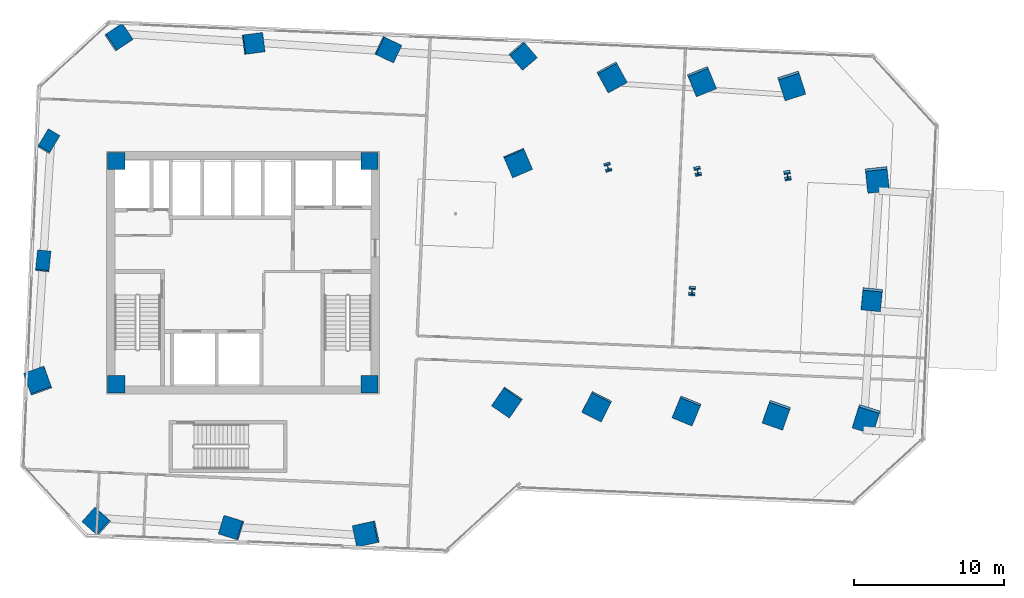
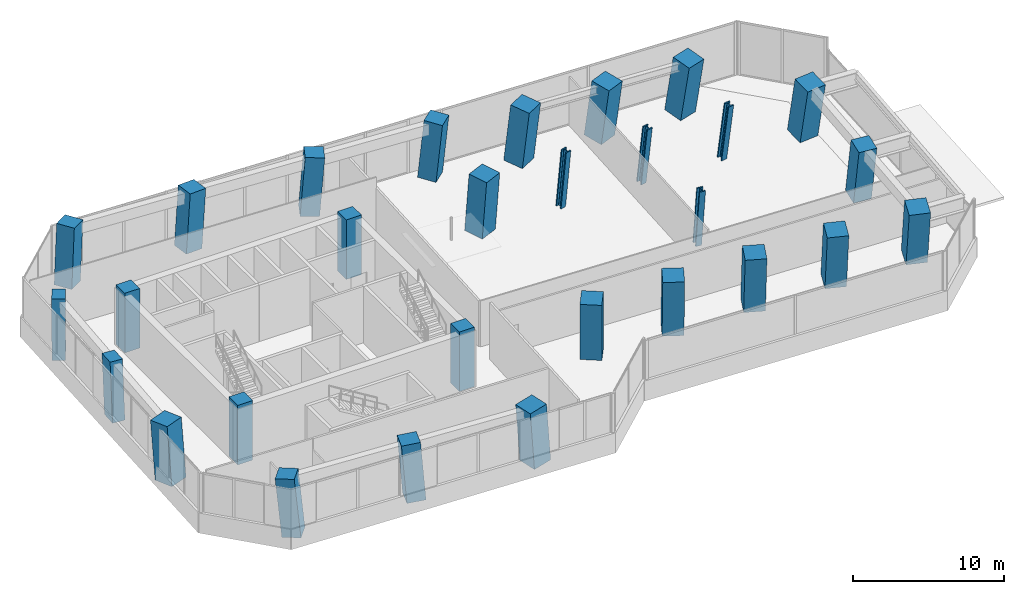
# One storey, part 1 of 27: 29 columns.
"""IFC4 building model written with IfcOpenShell, lengths in metres."""

from ifc_helpers import new_model, si_unit, direction, frame, origin, origin_2d, place, context, subcontext, project, spatial, rectangle, i_section, extrude, clip, halfspace, source, transform, mapped, material, material_profile, profile_set, type_object, element, save


model = new_model("IFC4")

# Units and contexts
model_context = context("Model", 3, precision=1e-05, world=origin(), true_north=direction((0.0, 1.0)))
body_context = subcontext(model_context, "Body", "Model", "MODEL_VIEW")
ifc_project = project(units=[si_unit("LENGTHUNIT", "METRE"), si_unit("AREAUNIT", "SQUARE_METRE"), si_unit("VOLUMEUNIT", "CUBIC_METRE"), si_unit("PLANEANGLEUNIT", "RADIAN"), si_unit("MASSUNIT", "GRAM", prefix="KILO")], contexts=[model_context])

# Site, building, storey
site_placement = place(None, origin())
site = spatial("IfcSite", under=ifc_project, at=site_placement, CompositionType="ELEMENT")
building_placement = place(site_placement, origin())
building = spatial("IfcBuilding", under=site, at=building_placement, Name="Torre Montelarca", CompositionType="ELEMENT")
storey_placement = place(building_placement, frame((0.0, 0.0, 37.60009765625)))
storey = spatial("IfcBuildingStorey", under=building, at=storey_placement, Name="L08", CompositionType="ELEMENT", Elevation=37.60009765625)

# Columns
ifc_material_1 = material(Name="Concrete C55/67", Category="concrete")
ifc_material_profile_1 = material_profile(ifc_material_1, rectangle(XDim=0.89990234375, YDim=1.300048828125, at=origin_2d()), Name="RC1300X900", Category="concrete")
ifc_profile_set_1 = profile_set([ifc_material_profile_1], Name="Concrete C55/67")
column_type_1 = type_object("IfcColumnType", Name="COL-PIL1300-EXT", PredefinedType="PILASTER", material=ifc_profile_set_1)
column_1_placement = place(storey_placement, frame((4.666015625, 32.735107421875, 0.0), z_axis=(0.004158734068, 0.076226552496, 0.997081851016), x_axis=(0.995195386939, -0.097852202731, 0.003329900253)))
element("IfcColumn", 1, at=column_1_placement, inside=storey, type_object=column_type_1, Name="L08 Column 1W/E", PredefinedType="PILASTER", context=body_context, shape_type="Clipping", body=[
    clip(clip(extrude(rectangle(XDim=0.89990234375, YDim=1.300048828125, at=origin_2d()), origin(), (0.0, 0.0, 1.0), 4.81396484375), halfspace(frame((0.0, 0.0, 0.052001953125), z_axis=(0.0, 0.0, -1.0), x_axis=(1.0, 0.0, 0.0)), False)), halfspace(frame((0.0, 0.0, 4.761962890625), z_axis=(0.0, 0.0, 1.0), x_axis=(1.0, 0.0, 0.0)), False)),
])
column_2_placement = place(storey_placement, frame((5.014892578125, 40.727294921875, 0.0), z_axis=(0.040343484777, 0.074250257787, 0.996423254674), x_axis=(0.85708703444, -0.515158450518, 0.003685953743)))
element("IfcColumn", 2, at=column_2_placement, inside=storey, type_object=column_type_1, Name="L08 Column 1W/F", PredefinedType="PILASTER", context=body_context, shape_type="Clipping", body=[
    clip(clip(extrude(rectangle(XDim=0.89990234375, YDim=1.300048828125, at=origin_2d()), origin(), (0.0, 0.0, 1.0), 4.817138671875), halfspace(frame((0.0, 0.0, 0.057373046875), z_axis=(0.0, 0.0, -1.0), x_axis=(1.0, 0.0, 0.0)), False)), halfspace(frame((0.0, 0.0, 4.759765625), z_axis=(0.0, 0.0, 1.0), x_axis=(1.0, 0.0, 0.0)), False)),
])
ifc_material_2 = material(Name="Concrete C70/85", Category="concrete")
ifc_material_profile_2 = material_profile(ifc_material_2, rectangle(XDim=1.300048828125, YDim=1.300048828125, at=origin_2d()), Name="RC1300X1300", Category="concrete")
ifc_profile_set_2 = profile_set([ifc_material_profile_2], Name="Concrete C70/85")
column_type_2 = type_object("IfcColumnType", Name="COL-RC1300-EXT", PredefinedType="COLUMN", material=ifc_profile_set_2)
column_3_placement = place(storey_placement, frame((8.26171875, 15.361572265625, 0.0), z_axis=(-0.074626848987, 0.0607039294, 0.995362178489), x_axis=(0.664109051, 0.747623943566, 0.004196115607)))
element("IfcColumn", 3, at=column_3_placement, inside=storey, type_object=column_type_2, Name="L08 Column 2/CS", PredefinedType="COLUMN", context=body_context, shape_type="Clipping", body=[
    clip(clip(extrude(rectangle(XDim=1.300048828125, YDim=1.300048828125, at=origin_2d()), origin(), (0.0, 0.0, 1.0), 4.822265625), halfspace(frame((0.0, 0.0, 0.066162109375), z_axis=(0.0, 0.0, -1.0), x_axis=(1.0, 0.0, 0.0)), False)), halfspace(frame((0.0, 0.0, 4.756103515625), z_axis=(0.0, 0.0, 1.0), x_axis=(1.0, 0.0, 0.0)), False)),
])
column_4_placement = place(storey_placement, frame((9.672607421875, 47.680908203125, 0.0), z_axis=(0.071587138132, 0.052740418114, 0.996039020295), x_axis=(0.557597375125, -0.830102478241, 0.003878514181)))
element("IfcColumn", 4, at=column_4_placement, inside=storey, type_object=column_type_2, Name="L08 Column 2/GN", PredefinedType="COLUMN", context=body_context, shape_type="Clipping", body=[
    clip(clip(extrude(rectangle(XDim=1.300048828125, YDim=1.300048828125, at=origin_2d()), origin(), (0.0, 0.0, 1.0), 4.81884765625), halfspace(frame((0.0, 0.0, 0.061279296875), z_axis=(0.0, 0.0, -1.0), x_axis=(1.0, 0.0, 0.0)), False)), halfspace(frame((0.0, 0.0, 4.757568359375), z_axis=(0.0, 0.0, 1.0), x_axis=(1.0, 0.0, 0.0)), False)),
])
column_5_placement = place(storey_placement, frame((17.253173828125, 14.968994140625, 0.0), z_axis=(-0.076967956371, 0.020078597314, 0.996831371708), x_axis=(0.294254782168, 0.955720714794, 0.003469651896)))
element("IfcColumn", 5, at=column_5_placement, inside=storey, type_object=column_type_2, Name="L08 Column 3/CS", PredefinedType="COLUMN", context=body_context, shape_type="Clipping", body=[
    clip(clip(extrude(rectangle(XDim=1.300048828125, YDim=1.300048828125, at=origin_2d()), origin(), (0.0, 0.0, 1.0), 4.81494140625), halfspace(frame((0.0, 0.0, 0.0546875), z_axis=(0.0, 0.0, -1.0), x_axis=(1.0, 0.0, 0.0)), False)), halfspace(frame((0.0, 0.0, 4.76025390625), z_axis=(0.0, 0.0, 1.0), x_axis=(1.0, 0.0, 0.0)), False)),
])
column_6_placement = place(storey_placement, frame((18.664306640625, 47.2880859375, 0.0), z_axis=(0.06940996214, 0.012126448064, 0.997514514387), x_axis=(0.129075287594, -0.991630033764, 0.003073478364)))
element("IfcColumn", 6, at=column_6_placement, inside=storey, type_object=column_type_2, Name="L08 Column 3/GN", PredefinedType="COLUMN", context=body_context, shape_type="Clipping", body=[
    clip(clip(extrude(rectangle(XDim=1.300048828125, YDim=1.300048828125, at=origin_2d()), origin(), (0.0, 0.0, 1.0), 4.811767578125), halfspace(frame((0.0, 0.0, 0.048583984375), z_axis=(0.0, 0.0, -1.0), x_axis=(1.0, 0.0, 0.0)), False)), halfspace(frame((0.0, 0.0, 4.76318359375), z_axis=(0.0, 0.0, 1.0), x_axis=(1.0, 0.0, 0.0)), False)),
])
column_7_placement = place(storey_placement, frame((27.655517578125, 46.895751953125, 0.0), z_axis=(0.067215559291, -0.028661729056, 0.997326713709), x_axis=(-0.431886115765, -0.901922515489, 0.003187328695)))
element("IfcColumn", 7, at=column_7_placement, inside=storey, type_object=column_type_2, Name="L08 Column 4/GN", PredefinedType="COLUMN", context=body_context, shape_type="Clipping", body=[
    clip(clip(extrude(rectangle(XDim=1.300048828125, YDim=1.300048828125, at=origin_2d()), origin(), (0.0, 0.0, 1.0), 4.812744140625), halfspace(frame((0.0, 0.0, 0.05029296875), z_axis=(0.0, 0.0, -1.0), x_axis=(1.0, 0.0, 0.0)), False)), halfspace(frame((0.0, 0.0, 4.762451171875), z_axis=(0.0, 0.0, 1.0), x_axis=(1.0, 0.0, 0.0)), False)),
])
column_8_placement = place(storey_placement, frame((36.64697265625, 46.503173828125, 0.0), z_axis=(0.064863629313, -0.06926888751, 0.995487082194), x_axis=(-0.758921651217, -0.651168789985, 0.00413935557)))
element("IfcColumn", 8, at=column_8_placement, inside=storey, type_object=column_type_2, Name="L08 Column 5/GN", PredefinedType="COLUMN", context=body_context, shape_type="Clipping", body=[
    clip(clip(extrude(rectangle(XDim=1.300048828125, YDim=1.300048828125, at=origin_2d()), origin(), (0.0, 0.0, 1.0), 4.821533203125), halfspace(frame((0.0, 0.0, 0.0654296875), z_axis=(0.0, 0.0, -1.0), x_axis=(1.0, 0.0, 0.0)), False)), halfspace(frame((0.0, 0.0, 4.756103515625), z_axis=(0.0, 0.0, 1.0), x_axis=(1.0, 0.0, 0.0)), False)),
])
column_9_placement = place(storey_placement, frame((59.96337890625, 30.32080078125, 0.0), z_axis=(-0.009419364454, -0.172153916291, 0.985025027438), x_axis=(-0.995208767045, 0.097483087631, 0.007520480208)))
element("IfcColumn", 9, at=column_9_placement, inside=storey, type_object=column_type_2, Name="L08 Column 9/E", PredefinedType="COLUMN", context=body_context, shape_type="Clipping", body=[
    clip(clip(extrude(rectangle(XDim=1.300048828125, YDim=1.300048828125, at=origin_2d()), origin(), (0.0, 0.0, 1.0), 4.872802734375), halfspace(frame((0.0, 0.0, 0.119384765625), z_axis=(0.0, 0.0, -1.0), x_axis=(1.0, 0.0, 0.0)), False)), halfspace(frame((0.0, 0.0, 4.75341796875), z_axis=(0.0, 0.0, 1.0), x_axis=(1.0, 0.0, 0.0)), False)),
])
ifc_material_profile_3 = material_profile(ifc_material_2, rectangle(XDim=1.449951171875, YDim=1.449951171875, at=origin_2d()), Name="RC1450X1450", Category="concrete")
ifc_profile_set_3 = profile_set([ifc_material_profile_3], Name="Concrete C70/85")
column_type_3 = type_object("IfcColumnType", Name="COL-RC1450", PredefinedType="COLUMN", material=ifc_profile_set_3)
for number, where, z_axis, x_axis, name in (
    (10, (35.63720703125, 23.375, 0.0), (-0.03976557291, -0.063604628099, 0.997182606394), (-0.824056903423, 0.566497585159, 0.003271991837), "L08 Column 5/D"),
    (11, (36.335205078125, 39.35986328125, 0.0), (0.032613723534, -0.067611342878, 0.997178545373), (-0.918728821038, -0.39487546398, 0.003274345801), "L08 Column 5/F"),
):
    element("IfcColumn", number, at=place(storey_placement, frame(where, z_axis=z_axis, x_axis=x_axis)), inside=storey, type_object=column_type_3, Name=name, PredefinedType="COLUMN", context=body_context, shape_type="Clipping", body=[
        clip(clip(extrude(rectangle(XDim=1.449951171875, YDim=1.449951171875, at=origin_2d()), origin(), (0.0, 0.0, 1.0), 4.8134765625), halfspace(frame((0.0, 0.0, 0.0576171875), z_axis=(0.0, 0.0, -1.0), x_axis=(1.0, 0.0, 0.0)), False)), halfspace(frame((0.0, 0.0, 4.755859375), z_axis=(0.0, 0.0, 1.0), x_axis=(1.0, 0.0, 0.0)), False)),
    ])
column_10_placement = place(storey_placement, frame((41.631591796875, 23.11328125, 0.0), z_axis=(-0.041198493799, -0.090545584038, 0.995039788812), x_axis=(-0.891368005609, 0.453259583779, 0.00433915762)))
element("IfcColumn", 12, at=column_10_placement, inside=storey, type_object=column_type_3, Name="L08 Column 6/D", PredefinedType="COLUMN", context=body_context, shape_type="Clipping", body=[
    clip(clip(extrude(rectangle(XDim=1.449951171875, YDim=1.449951171875, at=origin_2d()), origin(), (0.0, 0.0, 1.0), 4.82373046875), halfspace(frame((0.0, 0.0, 0.076416015625), z_axis=(0.0, 0.0, -1.0), x_axis=(1.0, 0.0, 0.0)), False)), halfspace(frame((0.0, 0.0, 4.747314453125), z_axis=(0.0, 0.0, 1.0), x_axis=(1.0, 0.0, 0.0)), False)),
])
column_11_placement = place(storey_placement, frame((42.59130859375, 45.092529296875, 0.0), z_axis=(0.058075175158, -0.095882164729, 0.993697078851), x_axis=(-0.876978547466, -0.480504649668, 0.004889676023)))
element("IfcColumn", 13, at=column_11_placement, inside=storey, type_object=column_type_3, Name="L08 Column 6/G", PredefinedType="COLUMN", context=body_context, shape_type="Clipping", body=[
    clip(clip(extrude(rectangle(XDim=1.449951171875, YDim=1.449951171875, at=origin_2d()), origin(), (0.0, 0.0, 1.0), 4.830322265625), halfspace(frame((0.0, 0.0, 0.0859375), z_axis=(0.0, 0.0, -1.0), x_axis=(1.0, 0.0, 0.0)), False)), halfspace(frame((0.0, 0.0, 4.744384765625), z_axis=(0.0, 0.0, 1.0), x_axis=(1.0, 0.0, 0.0)), False)),
])
column_12_placement = place(storey_placement, frame((47.625732421875, 22.851806640625, 0.0), z_axis=(-0.042543403024, -0.11738547501, 0.992174737189), x_axis=(-0.924517477509, 0.38110073839, 0.005446189418)))
element("IfcColumn", 14, at=column_12_placement, inside=storey, type_object=column_type_3, Name="L08 Column 7/D", PredefinedType="COLUMN", context=body_context, shape_type="Clipping", body=[
    clip(clip(extrude(rectangle(XDim=1.449951171875, YDim=1.449951171875, at=origin_2d()), origin(), (0.0, 0.0, 1.0), 4.837646484375), halfspace(frame((0.0, 0.0, 0.095947265625), z_axis=(0.0, 0.0, -1.0), x_axis=(1.0, 0.0, 0.0)), False)), halfspace(frame((0.0, 0.0, 4.74169921875), z_axis=(0.0, 0.0, 1.0), x_axis=(1.0, 0.0, 0.0)), False)),
])
column_13_placement = place(storey_placement, frame((48.58544921875, 44.830810546875, 0.0), z_axis=(0.056447032157, -0.122621097533, 0.990847010895), x_axis=(-0.925582471134, -0.378500222776, 0.005888165089)))
element("IfcColumn", 15, at=column_13_placement, inside=storey, type_object=column_type_3, Name="L08 Column 7/G", PredefinedType="COLUMN", context=body_context, shape_type="Clipping", body=[
    clip(clip(extrude(rectangle(XDim=1.449951171875, YDim=1.449951171875, at=origin_2d()), origin(), (0.0, 0.0, 1.0), 4.84423828125), halfspace(frame((0.0, 0.0, 0.103759765625), z_axis=(0.0, 0.0, -1.0), x_axis=(1.0, 0.0, 0.0)), False)), halfspace(frame((0.0, 0.0, 4.740478515625), z_axis=(0.0, 0.0, 1.0), x_axis=(1.0, 0.0, 0.0)), False)),
])
column_14_placement = place(storey_placement, frame((53.6201171875, 22.590087890625, 0.0), z_axis=(-0.043849484019, -0.14386854791, 0.988624834643), x_axis=(-0.943073487423, 0.332519710053, 0.006560468435)))
element("IfcColumn", 16, at=column_14_placement, inside=storey, type_object=column_type_3, Name="L08 Column 8/D", PredefinedType="COLUMN", context=body_context, shape_type="Clipping", body=[
    clip(clip(extrude(rectangle(XDim=1.449951171875, YDim=1.449951171875, at=origin_2d()), origin(), (0.0, 0.0, 1.0), 4.85498046875), halfspace(frame((0.0, 0.0, 0.11572265625), z_axis=(0.0, 0.0, -1.0), x_axis=(1.0, 0.0, 0.0)), False)), halfspace(frame((0.0, 0.0, 4.7392578125), z_axis=(0.0, 0.0, 1.0), x_axis=(1.0, 0.0, 0.0)), False)),
])
column_15_placement = place(storey_placement, frame((54.57958984375, 44.569091796875, 0.0), z_axis=(0.054839272442, -0.149050330227, 0.98730778041), x_axis=(-0.95247134279, -0.304549421177, 0.006927569902)))
element("IfcColumn", 17, at=column_15_placement, inside=storey, type_object=column_type_3, Name="L08 Column 8/G", PredefinedType="COLUMN", context=body_context, shape_type="Clipping", body=[
    clip(clip(extrude(rectangle(XDim=1.449951171875, YDim=1.449951171875, at=origin_2d()), origin(), (0.0, 0.0, 1.0), 4.861572265625), halfspace(frame((0.0, 0.0, 0.122314453125), z_axis=(0.0, 0.0, -1.0), x_axis=(1.0, 0.0, 0.0)), False)), halfspace(frame((0.0, 0.0, 4.7392578125), z_axis=(0.0, 0.0, 1.0), x_axis=(1.0, 0.0, 0.0)), False)),
])
ifc_material_profile_4 = material_profile(ifc_material_2, rectangle(XDim=1.449951171875, YDim=1.449951171875, at=origin_2d()), Name="RC1450X1450", Category="concrete")
ifc_profile_set_4 = profile_set([ifc_material_profile_4], Name="Concrete C70/85")
column_type_4 = type_object("IfcColumnType", Name="COL-RC1450-EXT", PredefinedType="COLUMN", material=ifc_profile_set_4)
column_16_placement = place(storey_placement, frame((26.244384765625, 14.576416015625, 0.0), z_axis=(-0.079133843412, -0.020632590819, 0.996650455788), x_axis=(-0.209988663443, 0.977697313357, 0.003567166984)))
element("IfcColumn", 18, at=column_16_placement, inside=storey, type_object=column_type_4, Name="L08 Perimeter Mega Column 4/CS", PredefinedType="COLUMN", context=body_context, shape_type="Clipping", body=[
    clip(clip(extrude(rectangle(XDim=1.449951171875, YDim=1.449951171875, at=origin_2d()), origin(), (0.0, 0.0, 1.0), 4.81591796875), halfspace(frame((0.0, 0.0, 0.062744140625), z_axis=(0.0, 0.0, -1.0), x_axis=(1.0, 0.0, 0.0)), False)), halfspace(frame((0.0, 0.0, 4.753173828125), z_axis=(0.0, 0.0, 1.0), x_axis=(1.0, 0.0, 0.0)), False)),
])
for number, where, z_axis, x_axis, name in (
    (19, (59.614501953125, 22.328369140625, 0.0), (-0.045163906243, -0.170090675728, 0.984392901033), (-0.954568816034, 0.29789167357, 0.007676345018), "L08 Perimeter Mega Column 9/D"),
    (20, (60.312255859375, 38.31298828125, 0.0), (0.026387562879, -0.173947615637, 0.984401302081), (-0.994187743579, -0.107386385141, 0.007674294959), "L08 Perimeter Mega Column 9/F"),
):
    element("IfcColumn", number, at=place(storey_placement, frame(where, z_axis=z_axis, x_axis=x_axis)), inside=storey, type_object=column_type_4, Name=name, PredefinedType="COLUMN", context=body_context, shape_type="Clipping", body=[
        clip(clip(extrude(rectangle(XDim=1.449951171875, YDim=1.449951171875, at=origin_2d()), origin(), (0.0, 0.0, 1.0), 4.8759765625), halfspace(frame((0.0, 0.0, 0.1357421875), z_axis=(0.0, 0.0, -1.0), x_axis=(1.0, 0.0, 0.0)), False)), halfspace(frame((0.0, 0.0, 4.740234375), z_axis=(0.0, 0.0, 1.0), x_axis=(1.0, 0.0, 0.0)), False)),
    ])
column_17_placement = place(storey_placement, frame((4.317138671875, 24.74267578125, 0.0), z_axis=(-0.032031619673, 0.078153097366, 0.996426649941), x_axis=(0.940900672719, 0.338662591226, 0.003684206993)))
element("IfcColumn", 21, at=column_17_placement, inside=storey, type_object=column_type_4, Name="L08 Perimeter Mega Column 1W/D", PredefinedType="COLUMN", context=body_context, shape_type="Clipping", body=[
    clip(clip(extrude(rectangle(XDim=1.449951171875, YDim=1.449951171875, at=origin_2d()), origin(), (0.0, 0.0, 1.0), 4.817138671875), halfspace(frame((0.0, 0.0, 0.06494140625), z_axis=(0.0, 0.0, -1.0), x_axis=(1.0, 0.0, 0.0)), False)), halfspace(frame((0.0, 0.0, 4.752197265625), z_axis=(0.0, 0.0, 1.0), x_axis=(1.0, 0.0, 0.0)), False)),
])
ifc_material_3 = material(Name="Steel ASTM A992 Grade 50", Category="steel")
ifc_material_profile_5 = material_profile(ifc_material_3, i_section(OverallWidth=0.431884765625, OverallDepth=0.498046875, WebThickness=0.0556640625, FlangeThickness=0.0888671875, FilletRadius=0.014892578125, at=origin_2d()), Name="W360X744", Category="steel")
ifc_profile_set_5 = profile_set([ifc_material_profile_5], Name="Steel ASTM A992 Grade 50")
column_type_5 = type_object("IfcColumnType", Name="COL-W360X744", PredefinedType="COLUMN", material=ifc_profile_set_5)
column_18_placement = place(storey_placement, frame((42.329345703125, 39.09814453125, 0.0), z_axis=(0.031075882284, -0.094543563691, 0.995035579316), x_axis=(-0.962645977382, -0.270728421119, 0.004340993869)))
element("IfcColumn", 22, at=column_18_placement, inside=storey, type_object=column_type_5, Name="L08 Column 6/F", PredefinedType="COLUMN", context=body_context, shape_type="Clipping", body=[
    clip(clip(extrude(i_section(OverallWidth=0.431884765625, OverallDepth=0.498046875, WebThickness=0.0556640625, FlangeThickness=0.0888671875, FilletRadius=0.014892578125, at=origin_2d()), origin(), (0.0, 0.0, 1.0), 4.82373046875), halfspace(frame((0.0, 0.0, 0.026611328125), z_axis=(0.0, 0.0, -1.0), x_axis=(1.0, 0.0, 0.0)), False)), halfspace(frame((0.0, 0.0, 4.797119140625), z_axis=(0.0, 0.0, 1.0), x_axis=(1.0, 0.0, 0.0)), False)),
])
column_19_placement = place(storey_placement, frame((47.974853515625, 30.843994140625, 0.0), z_axis=(-0.006514480751, -0.119381647256, 0.992827066432), x_axis=(-0.995204428395, 0.097677778525, 0.005215101586)))
element("IfcColumn", 23, at=column_19_placement, inside=storey, type_object=column_type_5, Name="L08 Column 7/E", PredefinedType="COLUMN", context=body_context, shape_type="Clipping", body=[
    clip(clip(extrude(i_section(OverallWidth=0.431884765625, OverallDepth=0.498046875, WebThickness=0.0556640625, FlangeThickness=0.0888671875, FilletRadius=0.014892578125, at=origin_2d()), origin(), (0.0, 0.0, 1.0), 4.83447265625), halfspace(frame((0.0, 0.0, 0.03173828125), z_axis=(0.0, 0.0, -1.0), x_axis=(1.0, 0.0, 0.0)), False)), halfspace(frame((0.0, 0.0, 4.802734375), z_axis=(0.0, 0.0, 1.0), x_axis=(1.0, 0.0, 0.0)), False)),
])
column_20_placement = place(storey_placement, frame((48.32373046875, 38.83642578125, 0.0), z_axis=(0.029523163424, -0.121272071294, 0.992180158815), x_axis=(-0.980934571584, -0.194262002877, 0.00544430984)))
element("IfcColumn", 24, at=column_20_placement, inside=storey, type_object=column_type_5, Name="L08 Column 7/F", PredefinedType="COLUMN", context=body_context, shape_type="Clipping", body=[
    clip(clip(extrude(i_section(OverallWidth=0.431884765625, OverallDepth=0.498046875, WebThickness=0.0556640625, FlangeThickness=0.0888671875, FilletRadius=0.014892578125, at=origin_2d()), origin(), (0.0, 0.0, 1.0), 4.837646484375), halfspace(frame((0.0, 0.0, 0.033203125), z_axis=(0.0, 0.0, -1.0), x_axis=(1.0, 0.0, 0.0)), False)), halfspace(frame((0.0, 0.0, 4.804443359375), z_axis=(0.0, 0.0, 1.0), x_axis=(1.0, 0.0, 0.0)), False)),
])
column_21_placement = place(storey_placement, frame((54.318115234375, 38.57470703125, 0.0), z_axis=(0.027908994501, -0.147741668185, 0.988632129514), x_axis=(-0.989690790543, -0.143070356158, 0.006558376519)))
element("IfcColumn", 25, at=column_21_placement, inside=storey, type_object=column_type_5, Name="L08 Column 8/F", PredefinedType="COLUMN", context=body_context, shape_type="Clipping", body=[
    clip(clip(extrude(i_section(OverallWidth=0.431884765625, OverallDepth=0.498046875, WebThickness=0.0556640625, FlangeThickness=0.0888671875, FilletRadius=0.014892578125, at=origin_2d()), origin(), (0.0, 0.0, 1.0), 4.85498046875), halfspace(frame((0.0, 0.0, 0.0400390625), z_axis=(0.0, 0.0, -1.0), x_axis=(1.0, 0.0, 0.0)), False)), halfspace(frame((0.0, 0.0, 4.81494140625), z_axis=(0.0, 0.0, 1.0), x_axis=(1.0, 0.0, 0.0)), False)),
])
ifc_material_profile_6 = material_profile(ifc_material_1, rectangle(XDim=1.14990234375, YDim=1.14990234375, at=origin_2d()), Name="RC1150X1150", Category="concrete")
ifc_profile_set_6 = profile_set([ifc_material_profile_6], Name="Concrete C55/67")
column_type_6 = type_object("IfcColumnType", Name="COL-RC1150", PredefinedType="COLUMN", material=ifc_profile_set_6)
shared_shape = source(origin(), body_context, "Body", "SweptSolid", [
    extrude(rectangle(XDim=1.14990234375, YDim=1.14990234375, at=origin_2d()), origin(), (0.0, 0.0, 1.0), 4.79833984375),
])
for number, where, z_axis, x_axis, name in (
    (26, (9.550048828125, 24.550048828125, 0.000732421875), (0.0, 0.0, 1.0), (1.0, 0.0, 0.0), "L08 Plumb Core Corner Column 2D"),
    (27, (26.449951171875, 24.550048828125, 0.000732421875), (0.0, 0.0, 1.0), (1.0, 0.0, 0.0), "L08 Plumb Core Corner Column 4D"),
    (28, (9.550048828125, 39.449951171875, 0.000732421875), (0.0, 0.0, 1.0), (1.0, 0.0, 0.0), "L08 Plumb Core Corner Column 2F"),
    (29, (26.449951171875, 39.449951171875, 0.000732421875), (0.0, 0.0, 1.0), (1.0, 0.0, 0.0), "L08 Plumb Core Corner Column 4F"),
):
    element("IfcColumn", number, at=place(storey_placement, frame(where, z_axis=z_axis, x_axis=x_axis)), inside=storey, type_object=column_type_6, Name=name, PredefinedType="COLUMN", context=body_context, shape_type="MappedRepresentation", body=[
        mapped(shared_shape, transform((0.0, 0.0, 0.0), scale=1.0)),
    ])

save(model, "model.ifc")
